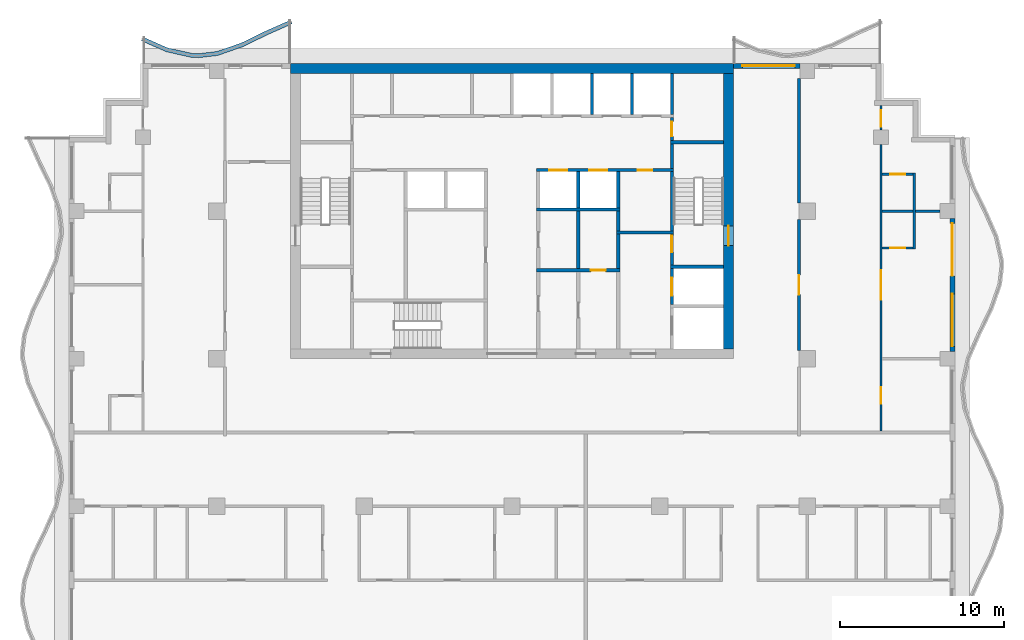
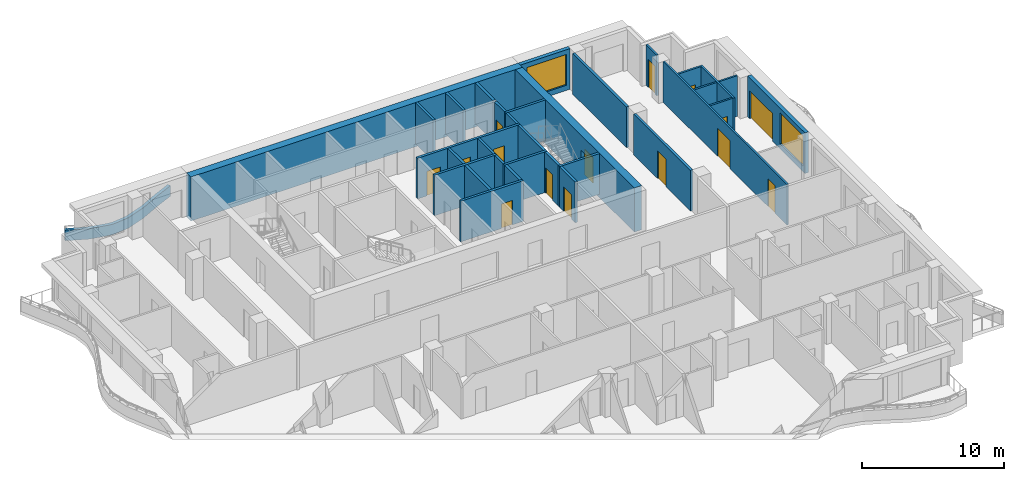
# One storey, part 6 of 11: 33 walls, 15 doors, 2 windows, 17 openings.
"""IFC4 building model written with IfcOpenShell, lengths in metres."""

from ifc_helpers import new_model, si_unit, direction, frame, frame_2d, origin, place, context, subcontext, project, spatial, polyline, rectangle, outline, extrude, material, layer, layer_set, type_object, element, fill, save


model = new_model("IFC4")

# Units and contexts
model_context = context("Model", 3, precision=1e-05, world=origin(), true_north=direction((0.0, 1.0)))
body_context = subcontext(model_context, "Body", "Model", "MODEL_VIEW")
ifc_project = project(units=[si_unit("LENGTHUNIT", "METRE"), si_unit("AREAUNIT", "SQUARE_METRE"), si_unit("VOLUMEUNIT", "CUBIC_METRE"), si_unit("PLANEANGLEUNIT", "RADIAN"), si_unit("MASSUNIT", "GRAM", prefix="KILO")], contexts=[model_context])

# Site, building, storey
site_placement = place(None, origin())
site = spatial("IfcSite", under=ifc_project, at=site_placement, CompositionType="ELEMENT")
building_placement = place(site_placement, origin())
building = spatial("IfcBuilding", under=site, at=building_placement, Name="Orbiselva Terraces", CompositionType="ELEMENT")
storey_placement = place(building_placement, frame((0.0, 0.0, 254.0)))
storey = spatial("IfcBuildingStorey", under=building, at=storey_placement, Name="L64", CompositionType="ELEMENT", Elevation=254.0)

# Wall, opening, door
ifc_material_1 = material(Name="Concrete C80/95", Category="concrete")
ifc_layer_1 = layer(ifc_material_1, 0.6)
ifc_layer_set_1 = layer_set([ifc_layer_1], Name="Concrete C80/95")
wall_type_1 = type_object("IfcWallType", Name="CORE WALL 600", PredefinedType="SHEAR", material=ifc_layer_set_1)
wall_1_placement = place(storey_placement, frame((13.2, 5.1, -0.3), z_axis=(0.0, 0.0, 1.0), x_axis=(0.0, 1.0, 0.0)))
wall_1 = element("IfcWall", 1, at=wall_1_placement, inside=storey, type_object=wall_type_1, Name="Core wall L64 east", PredefinedType="SHEAR", context=body_context, shape_type="SweptSolid", body=[
    extrude(rectangle(XDim=16.8, YDim=0.6, at=frame_2d((8.4, 0.0))), origin(), (0.0, 0.0, 1.0), 3.8),
])
opening_1_placement = place(wall_1_placement, frame((6.3, 0.0, 0.3)))
opening_1 = element("IfcOpeningElement", 2, at=opening_1_placement, cuts=wall_1, Name="Opening DS1200", PredefinedType="OPENING", context=body_context, shape_type="SweptSolid", body=[
    extrude(rectangle(XDim=1.2, YDim=2.2, at=frame_2d((0.6, 1.1))), frame((0.0, 0.31, 0.0), z_axis=(0.0, -1.0, 0.0), x_axis=(1.0, 0.0, 0.0)), (0.0, 0.0, 1.0), 0.62),
])
ifc_material_2 = material(Name="Steel fire door", Category="steel")
door_type_1 = type_object("IfcDoorType", Name="STAIR DOOR 1200", OperationType="NOTDEFINED", PredefinedType="DOOR", material=ifc_material_2)
door_1_placement = place(opening_1_placement, frame((1.2, 0.0, 0.0), z_axis=(0.0, 0.0, 1.0), x_axis=(-1.0, 0.0, 0.0)))
door_1 = element("IfcDoor", 3, at=door_1_placement, inside=storey, type_object=door_type_1, Name="L64 EXIT STAIR S2 door", OperationType="SINGLE_SWING_LEFT", OverallHeight=2.2, OverallWidth=1.2, PredefinedType="DOOR", context=body_context, shape_type="SweptSolid", body=[
    extrude(rectangle(XDim=1.2, YDim=2.2, at=frame_2d((0.6, 1.1))), frame((0.0, 0.025, 0.0), z_axis=(0.0, -1.0, 0.0), x_axis=(1.0, 0.0, 0.0)), (0.0, 0.0, 1.0), 0.05),
])
fill(opening_1, door_1)

# Walls
ifc_layer_2 = layer(ifc_material_1, 0.6)
ifc_layer_set_2 = layer_set([ifc_layer_2], Name="Concrete C80/95")
wall_type_2 = type_object("IfcWallType", Name="CORE WALL 600 EXTERNAL", PredefinedType="SHEAR", material=ifc_layer_set_2)
wall_2_placement = place(storey_placement, frame((13.5, 22.2, -0.3), z_axis=(0.0, 0.0, 1.0), x_axis=(-1.0, 0.0, 0.0)))
element("IfcWall", 4, at=wall_2_placement, inside=storey, type_object=wall_type_2, Name="Core wall L64 north", PredefinedType="SHEAR", context=body_context, shape_type="SweptSolid", body=[
    extrude(rectangle(XDim=27.0, YDim=0.6, at=frame_2d((13.5, 0.0))), origin(), (0.0, 0.0, 1.0), 3.8),
])
ifc_material_3 = material(Name="Masonry blockwork", Category="masonry")
ifc_layer_3 = layer(ifc_material_3, 0.2)
ifc_layer_set_3 = layer_set([ifc_layer_3], Name="Masonry blockwork")
wall_type_3 = type_object("IfcWallType", Name="CORE-WALL-PARTITION-200", PredefinedType="PARTITIONING", material=ifc_layer_set_3)
wall_3_placement = place(storey_placement, frame((4.0375, 10.0, 0.0), z_axis=(0.0, 0.0, 1.0), x_axis=(0.0, 1.0, 0.0)))
element("IfcWall", 5, at=wall_3_placement, inside=storey, type_object=wall_type_3, Name="L64 core wall 30", PredefinedType="PARTITIONING", context=body_context, shape_type="SweptSolid", body=[
    extrude(rectangle(XDim=3.5, YDim=0.2, at=frame_2d((1.75, 0.0))), origin(), (0.0, 0.0, 1.0), 3.5),
])
wall_4_placement = place(storey_placement, frame((6.475, 12.3, 0.0), z_axis=(0.0, 0.0, 1.0), x_axis=(0.0, 1.0, 0.0)))
element("IfcWall", 6, at=wall_4_placement, inside=storey, type_object=wall_type_3, Name="L64 core wall 36", PredefinedType="PARTITIONING", context=body_context, shape_type="SweptSolid", body=[
    extrude(rectangle(XDim=1.2, YDim=0.2, at=frame_2d((0.6, 0.0))), origin(), (0.0, 0.0, 1.0), 3.5),
])

# Wall, opening, door
wall_5_placement = place(storey_placement, frame((9.75, 19.2, 0.0), z_axis=(0.0, 0.0, 1.0), x_axis=(0.0, -1.0, 0.0)))
wall_5 = element("IfcWall", 7, at=wall_5_placement, inside=storey, type_object=wall_type_3, Name="L64 core wall 47", PredefinedType="PARTITIONING", context=body_context, shape_type="SweptSolid", body=[
    extrude(rectangle(XDim=1.4, YDim=0.2, at=frame_2d((0.7, 0.0))), origin(), (0.0, 0.0, 1.0), 3.5),
])
opening_2_placement = place(wall_5_placement, frame((0.25, 0.0, 0.0)))
opening_2 = element("IfcOpeningElement", 8, at=opening_2_placement, cuts=wall_5, Name="Opening DR900", PredefinedType="OPENING", context=body_context, shape_type="SweptSolid", body=[
    extrude(rectangle(XDim=0.9, YDim=2.1, at=frame_2d((0.45, 1.05))), frame((0.0, 0.11, 0.0), z_axis=(0.0, -1.0, 0.0), x_axis=(1.0, 0.0, 0.0)), (0.0, 0.0, 1.0), 0.22),
])
door_type_2 = type_object("IfcDoorType", Name="ROOM DOOR 900", OperationType="NOTDEFINED", PredefinedType="DOOR", material=ifc_material_2)
door_2_placement = place(opening_2_placement, origin())
door_2 = element("IfcDoor", 9, at=door_2_placement, inside=storey, type_object=door_type_2, Name="L64 COMMS RISER ROOM door", OperationType="SINGLE_SWING_RIGHT", OverallHeight=2.1, OverallWidth=0.9, PredefinedType="DOOR", context=body_context, shape_type="SweptSolid", body=[
    extrude(rectangle(XDim=0.9, YDim=2.1, at=frame_2d((0.45, 1.05))), frame((0.0, 0.025, 0.0), z_axis=(0.0, -1.0, 0.0), x_axis=(1.0, 0.0, 0.0)), (0.0, 0.0, 1.0), 0.05),
])
fill(opening_2, door_2)

# Walls
ifc_material_4 = material(Name="Concrete C40/50", Category="concrete")
ifc_layer_4 = layer(ifc_material_4, 0.2)
ifc_layer_set_4 = layer_set([ifc_layer_4], Name="Concrete C40/50")
wall_type_4 = type_object("IfcWallType", Name="CORE-WALL-SHAFT-200", PredefinedType="PARTITIONING", material=ifc_layer_set_4)
wall_6_placement = place(storey_placement, frame((4.0375, 13.7, 0.0), z_axis=(0.0, 0.0, 1.0), x_axis=(0.0, 1.0, 0.0)))
element("IfcWall", 10, at=wall_6_placement, inside=storey, type_object=wall_type_4, Name="L64 core wall 31", PredefinedType="PARTITIONING", context=body_context, shape_type="SweptSolid", body=[
    extrude(rectangle(XDim=2.2, YDim=0.2, at=frame_2d((1.1, 0.0))), origin(), (0.0, 0.0, 1.0), 3.5),
])
wall_7_placement = place(storey_placement, frame((4.875, 19.4, 0.0), z_axis=(0.0, 0.0, 1.0), x_axis=(0.0, 1.0, 0.0)))
element("IfcWall", 11, at=wall_7_placement, inside=storey, type_object=wall_type_4, Name="L64 core wall 32", PredefinedType="PARTITIONING", context=body_context, shape_type="SweptSolid", body=[
    extrude(rectangle(XDim=2.5, YDim=0.2, at=frame_2d((1.25, 0.0))), origin(), (0.0, 0.0, 1.0), 3.5),
])
wall_8_placement = place(storey_placement, frame((6.475, 13.7, 0.0), z_axis=(0.0, 0.0, 1.0), x_axis=(0.0, 1.0, 0.0)))
element("IfcWall", 12, at=wall_8_placement, inside=storey, type_object=wall_type_4, Name="L64 core wall 37", PredefinedType="PARTITIONING", context=body_context, shape_type="SweptSolid", body=[
    extrude(rectangle(XDim=2.2, YDim=0.2, at=frame_2d((1.1, 0.0))), origin(), (0.0, 0.0, 1.0), 3.5),
])
for number, where, z_axis, x_axis, name in (
    (13, (7.3125, 19.4, 0.0), (0.0, 0.0, 1.0), (0.0, 1.0, 0.0), "L64 core wall 38"),
    (14, (9.75, 19.4, 0.0), (0.0, 0.0, 1.0), (0.0, 1.0, 0.0), "L64 core wall 48"),
):
    element("IfcWall", number, at=place(storey_placement, frame(where, z_axis=z_axis, x_axis=x_axis)), inside=storey, type_object=wall_type_4, Name=name, PredefinedType="PARTITIONING", context=body_context, shape_type="SweptSolid", body=[
        extrude(rectangle(XDim=2.5, YDim=0.2, at=frame_2d((1.25, 0.0))), origin(), (0.0, 0.0, 1.0), 3.5),
    ])

# Wall, opening, door
ifc_material_5 = material(Name="Concrete C60/75", Category="concrete")
ifc_layer_5 = layer(ifc_material_5, 0.2)
ifc_layer_set_5 = layer_set([ifc_layer_5], Name="Concrete C60/75")
wall_type_5 = type_object("IfcWallType", Name="CORE-WALL-SHEAR-200", PredefinedType="SHEAR", material=ifc_layer_set_5)
wall_9_placement = place(storey_placement, frame((1.5, 9.9, 0.0), z_axis=(0.0, 0.0, 1.0), x_axis=(1.0, 0.0, 0.0)))
wall_9 = element("IfcWall", 15, at=wall_9_placement, inside=storey, type_object=wall_type_5, Name="L64 core wall 23", PredefinedType="SHEAR", context=body_context, shape_type="SweptSolid", body=[
    extrude(rectangle(XDim=5.075, YDim=0.2, at=frame_2d((2.5375, 0.0))), origin(), (0.0, 0.0, 1.0), 3.5),
])
opening_3_placement = place(wall_9_placement, frame((3.3062, 0.0, 0.0)))
opening_3 = element("IfcOpeningElement", 16, at=opening_3_placement, cuts=wall_9, Name="Opening DR900", PredefinedType="OPENING", context=body_context, shape_type="SweptSolid", body=[
    extrude(rectangle(XDim=0.9, YDim=2.1, at=frame_2d((0.45, 1.05))), frame((0.0, 0.11, 0.0), z_axis=(0.0, -1.0, 0.0), x_axis=(1.0, 0.0, 0.0)), (0.0, 0.0, 1.0), 0.22),
])
door_3_placement = place(opening_3_placement, origin())
door_3 = element("IfcDoor", 17, at=door_3_placement, inside=storey, type_object=door_type_2, Name="L64 LINEN STORE door", OperationType="SINGLE_SWING_RIGHT", OverallHeight=2.1, OverallWidth=0.9, PredefinedType="DOOR", context=body_context, shape_type="SweptSolid", body=[
    extrude(rectangle(XDim=0.9, YDim=2.1, at=frame_2d((0.45, 1.05))), frame((0.0, 0.025, 0.0), z_axis=(0.0, -1.0, 0.0), x_axis=(1.0, 0.0, 0.0)), (0.0, 0.0, 1.0), 0.05),
])
fill(opening_3, door_3)

# Wall
wall_10_placement = place(storey_placement, frame((1.5, 13.6, 0.0), z_axis=(0.0, 0.0, 1.0), x_axis=(1.0, 0.0, 0.0)))
element("IfcWall", 18, at=wall_10_placement, inside=storey, type_object=wall_type_5, Name="L64 core wall 25", PredefinedType="SHEAR", context=body_context, shape_type="SweptSolid", body=[
    extrude(rectangle(XDim=5.075, YDim=0.2, at=frame_2d((2.5375, 0.0))), origin(), (0.0, 0.0, 1.0), 3.5),
])

# Wall, openings, doors
wall_11_placement = place(storey_placement, frame((9.85, 16.0, 0.0), z_axis=(0.0, 0.0, 1.0), x_axis=(-1.0, 0.0, 0.0)))
wall_11 = element("IfcWall", 19, at=wall_11_placement, inside=storey, type_object=wall_type_5, Name="L64 core wall 27", PredefinedType="SHEAR", context=body_context, shape_type="SweptSolid", body=[
    extrude(rectangle(XDim=8.35, YDim=0.2, at=frame_2d((4.175, 0.0))), origin(), (0.0, 0.0, 1.0), 3.5),
])
opening_4_placement = place(wall_11_placement, frame((6.48125, 0.0, 0.0)))
opening_4 = element("IfcOpeningElement", 20, at=opening_4_placement, cuts=wall_11, Name="Opening LD-HR5", PredefinedType="OPENING", context=body_context, shape_type="SweptSolid", body=[
    extrude(rectangle(XDim=1.1, YDim=2.1, at=frame_2d((0.55, 1.05))), frame((0.0, 0.11, 0.0), z_axis=(0.0, -1.0, 0.0), x_axis=(1.0, 0.0, 0.0)), (0.0, 0.0, 1.0), 0.22),
])
opening_5_placement = place(wall_11_placement, frame((4.04375, 0.0, 0.0)))
opening_5 = element("IfcOpeningElement", 21, at=opening_5_placement, cuts=wall_11, Name="Opening LD-HR6", PredefinedType="OPENING", context=body_context, shape_type="SweptSolid", body=[
    extrude(rectangle(XDim=1.1, YDim=2.1, at=frame_2d((0.55, 1.05))), frame((0.0, 0.11, 0.0), z_axis=(0.0, -1.0, 0.0), x_axis=(1.0, 0.0, 0.0)), (0.0, 0.0, 1.0), 0.22),
])
opening_6_placement = place(wall_11_placement, frame((1.2875, 0.0, 0.0)))
opening_6 = element("IfcOpeningElement", 22, at=opening_6_placement, cuts=wall_11, Name="Opening DR900", PredefinedType="OPENING", context=body_context, shape_type="SweptSolid", body=[
    extrude(rectangle(XDim=0.9, YDim=2.1, at=frame_2d((0.45, 1.05))), frame((0.0, 0.11, 0.0), z_axis=(0.0, -1.0, 0.0), x_axis=(1.0, 0.0, 0.0)), (0.0, 0.0, 1.0), 0.22),
])
ifc_material_6 = material(Name="Stainless steel landing door", Category="steel")
door_type_3 = type_object("IfcDoorType", Name="LANDING DOOR 1100", OperationType="SLIDING_TO_LEFT", PredefinedType="DOOR", material=ifc_material_6)
door_4_placement = place(opening_4_placement, origin())
door_4 = element("IfcDoor", 23, at=door_4_placement, inside=storey, type_object=door_type_3, Name="L64 landing door HR5", OperationType="SLIDING_TO_RIGHT", OverallHeight=2.1, OverallWidth=1.1, PredefinedType="DOOR", context=body_context, shape_type="SweptSolid", body=[
    extrude(rectangle(XDim=1.1, YDim=2.1, at=frame_2d((0.55, 1.05))), frame((0.0, 0.025, 0.0), z_axis=(0.0, -1.0, 0.0), x_axis=(1.0, 0.0, 0.0)), (0.0, 0.0, 1.0), 0.05),
])
fill(opening_4, door_4)
door_5_placement = place(opening_5_placement, origin())
door_5 = element("IfcDoor", 24, at=door_5_placement, inside=storey, type_object=door_type_3, Name="L64 landing door HR6", OperationType="SLIDING_TO_RIGHT", OverallHeight=2.1, OverallWidth=1.1, PredefinedType="DOOR", context=body_context, shape_type="SweptSolid", body=[
    extrude(rectangle(XDim=1.1, YDim=2.1, at=frame_2d((0.55, 1.05))), frame((0.0, 0.025, 0.0), z_axis=(0.0, -1.0, 0.0), x_axis=(1.0, 0.0, 0.0)), (0.0, 0.0, 1.0), 0.05),
])
fill(opening_5, door_5)
door_6_placement = place(opening_6_placement, origin())
door_6 = element("IfcDoor", 25, at=door_6_placement, inside=storey, type_object=door_type_2, Name="L64 PIPE RISER ROOM door", OperationType="SINGLE_SWING_LEFT", OverallHeight=2.1, OverallWidth=0.9, PredefinedType="DOOR", context=body_context, shape_type="SweptSolid", body=[
    extrude(rectangle(XDim=0.9, YDim=2.1, at=frame_2d((0.45, 1.05))), frame((0.0, 0.025, 0.0), z_axis=(0.0, -1.0, 0.0), x_axis=(1.0, 0.0, 0.0)), (0.0, 0.0, 1.0), 0.05),
])
fill(opening_6, door_6)

# Walls
wall_12_placement = place(storey_placement, frame((6.475, 10.0, 0.0), z_axis=(0.0, 0.0, 1.0), x_axis=(0.0, 1.0, 0.0)))
element("IfcWall", 26, at=wall_12_placement, inside=storey, type_object=wall_type_5, Name="L64 core wall 34", PredefinedType="SHEAR", context=body_context, shape_type="SweptSolid", body=[
    extrude(rectangle(XDim=2.1, YDim=0.2, at=frame_2d((1.05, 0.0))), origin(), (0.0, 0.0, 1.0), 3.5),
])
wall_13_placement = place(storey_placement, frame((6.375, 12.2, 0.0), z_axis=(0.0, 0.0, 1.0), x_axis=(1.0, 0.0, 0.0)))
element("IfcWall", 27, at=wall_13_placement, inside=storey, type_object=wall_type_5, Name="L64 core wall 35", PredefinedType="SHEAR", context=body_context, shape_type="SweptSolid", body=[
    extrude(rectangle(XDim=3.475, YDim=0.2, at=frame_2d((1.7375, 0.0))), origin(), (0.0, 0.0, 1.0), 3.5),
])

# Wall, opening, door
wall_14_placement = place(storey_placement, frame((9.75, 7.8, 0.0), z_axis=(0.0, 0.0, 1.0), x_axis=(0.0, 1.0, 0.0)))
wall_14 = element("IfcWall", 28, at=wall_14_placement, inside=storey, type_object=wall_type_5, Name="L64 core wall 41", PredefinedType="SHEAR", context=body_context, shape_type="SweptSolid", body=[
    extrude(rectangle(XDim=2.2, YDim=0.2, at=frame_2d((1.1, 0.0))), origin(), (0.0, 0.0, 1.0), 3.5),
])
opening_7_placement = place(wall_14_placement, frame((0.55, 0.0, 0.0)))
opening_7 = element("IfcOpeningElement", 29, at=opening_7_placement, cuts=wall_14, Name="Opening LD-FF2", PredefinedType="OPENING", context=body_context, shape_type="SweptSolid", body=[
    extrude(rectangle(XDim=1.1, YDim=2.1, at=frame_2d((0.55, 1.05))), frame((0.0, 0.11, 0.0), z_axis=(0.0, -1.0, 0.0), x_axis=(1.0, 0.0, 0.0)), (0.0, 0.0, 1.0), 0.22),
])
door_7_placement = place(opening_7_placement, origin())
door_7 = element("IfcDoor", 30, at=door_7_placement, inside=storey, type_object=door_type_3, Name="L64 landing door FF2", OperationType="SLIDING_TO_RIGHT", OverallHeight=2.1, OverallWidth=1.1, PredefinedType="DOOR", context=body_context, shape_type="SweptSolid", body=[
    extrude(rectangle(XDim=1.1, YDim=2.1, at=frame_2d((0.55, 1.05))), frame((0.0, 0.025, 0.0), z_axis=(0.0, -1.0, 0.0), x_axis=(1.0, 0.0, 0.0)), (0.0, 0.0, 1.0), 0.05),
])
fill(opening_7, door_7)

# Wall
wall_15_placement = place(storey_placement, frame((9.65, 10.1, 0.0), z_axis=(0.0, 0.0, 1.0), x_axis=(1.0, 0.0, 0.0)))
element("IfcWall", 31, at=wall_15_placement, inside=storey, type_object=wall_type_5, Name="L64 core wall 42", PredefinedType="SHEAR", context=body_context, shape_type="SweptSolid", body=[
    extrude(rectangle(XDim=3.25, YDim=0.2, at=frame_2d((1.625, 0.0))), origin(), (0.0, 0.0, 1.0), 3.5),
])

# Wall, opening, door
wall_16_placement = place(storey_placement, frame((9.75, 12.1, 0.0), z_axis=(0.0, 0.0, 1.0), x_axis=(0.0, -1.0, 0.0)))
wall_16 = element("IfcWall", 32, at=wall_16_placement, inside=storey, type_object=wall_type_5, Name="L64 core wall 43", PredefinedType="SHEAR", context=body_context, shape_type="SweptSolid", body=[
    extrude(rectangle(XDim=1.9, YDim=0.2, at=frame_2d((0.95, 0.0))), origin(), (0.0, 0.0, 1.0), 3.5),
])
opening_8_placement = place(wall_16_placement, frame((0.1, 0.0, 0.0)))
opening_8 = element("IfcOpeningElement", 33, at=opening_8_placement, cuts=wall_16, Name="Opening DS1000", PredefinedType="OPENING", context=body_context, shape_type="SweptSolid", body=[
    extrude(rectangle(XDim=1.0, YDim=2.2, at=frame_2d((0.5, 1.1))), frame((0.0, 0.11, 0.0), z_axis=(0.0, -1.0, 0.0), x_axis=(1.0, 0.0, 0.0)), (0.0, 0.0, 1.0), 0.22),
])
door_type_4 = type_object("IfcDoorType", Name="STAIR DOOR 1000", OperationType="NOTDEFINED", PredefinedType="DOOR", material=ifc_material_2)
door_8_placement = place(opening_8_placement, origin())
door_8 = element("IfcDoor", 34, at=door_8_placement, inside=storey, type_object=door_type_4, Name="L64 FIRE-FIGHTING LOBBY TO EXIT STAIR S2 door", OperationType="SINGLE_SWING_LEFT", OverallHeight=2.2, OverallWidth=1.0, PredefinedType="DOOR", context=body_context, shape_type="SweptSolid", body=[
    extrude(rectangle(XDim=1.0, YDim=2.2, at=frame_2d((0.5, 1.1))), frame((0.0, 0.025, 0.0), z_axis=(0.0, -1.0, 0.0), x_axis=(1.0, 0.0, 0.0)), (0.0, 0.0, 1.0), 0.05),
])
fill(opening_8, door_8)

# Walls
wall_17_placement = place(storey_placement, frame((9.75, 12.3, 0.0), z_axis=(0.0, 0.0, 1.0), x_axis=(0.0, 1.0, 0.0)))
element("IfcWall", 35, at=wall_17_placement, inside=storey, type_object=wall_type_5, Name="L64 core wall 44", PredefinedType="SHEAR", context=body_context, shape_type="SweptSolid", body=[
    extrude(rectangle(XDim=3.6, YDim=0.2, at=frame_2d((1.8, 0.0))), origin(), (0.0, 0.0, 1.0), 3.5),
])
wall_18_placement = place(storey_placement, frame((9.75, 16.1, 0.0), z_axis=(0.0, 0.0, 1.0), x_axis=(0.0, 1.0, 0.0)))
element("IfcWall", 36, at=wall_18_placement, inside=storey, type_object=wall_type_5, Name="L64 core wall 45", PredefinedType="SHEAR", context=body_context, shape_type="SweptSolid", body=[
    extrude(rectangle(XDim=1.5, YDim=0.2, at=frame_2d((0.75, 0.0))), origin(), (0.0, 0.0, 1.0), 3.5),
])
wall_19_placement = place(storey_placement, frame((9.65, 17.7, 0.0), z_axis=(0.0, 0.0, 1.0), x_axis=(1.0, 0.0, 0.0)))
element("IfcWall", 37, at=wall_19_placement, inside=storey, type_object=wall_type_5, Name="L64 core wall 46", PredefinedType="SHEAR", context=body_context, shape_type="SweptSolid", body=[
    extrude(rectangle(XDim=3.25, YDim=0.2, at=frame_2d((1.625, 0.0))), origin(), (0.0, 0.0, 1.0), 3.5),
])
ifc_layer_6 = layer(ifc_material_4, 0.25)
ifc_layer_set_6 = layer_set([ifc_layer_6], Name="Concrete C40/50")
wall_type_6 = type_object("IfcWallType", Name="ENV-PLANTER-250x900", PredefinedType="USERDEFINED", material=ifc_layer_set_6)
wall_20_placement = place(storey_placement, origin())
element("IfcWall", 38, at=wall_20_placement, inside=storey, type_object=wall_type_6, Name="Balcony planter L64 NW", ObjectType="PLANTER", PredefinedType="USERDEFINED", context=body_context, shape_type="SweptSolid", body=[
    extrude(outline(polyline([(-13.5, 25.148528), (-15.0, 24.487721), (-16.5, 23.755211), (-18.0, 23.230792), (-19.125, 23.1), (-19.5, 23.114774), (-21.0, 23.451472), (-22.5, 24.112279), (-22.600788, 23.883496), (-21.078508, 23.212874), (-19.532565, 22.865863), (-19.115428, 22.849429), (-17.943629, 22.985662), (-16.40356, 23.524089), (-14.894714, 24.260919), (-13.399212, 24.919745), (-13.5, 25.148528)])), origin(), (0.0, 0.0, 1.0), 0.9),
])

# Wall, openings, door, window
ifc_material_7 = material(Name="Terracotta cladding on masonry backing", Category="masonry")
ifc_layer_7 = layer(ifc_material_7, 0.3)
ifc_layer_set_7 = layer_set([ifc_layer_7], Name="Terracotta cladding on masonry backing")
wall_type_7 = type_object("IfcWallType", Name="ENV-WALL-TERRACOTTA-300", PredefinedType="SOLIDWALL", material=ifc_layer_set_7)
wall_21_placement = place(storey_placement, frame((26.85, 13.05, 0.0), z_axis=(0.0, 0.0, 1.0), x_axis=(0.0, -1.0, 0.0)))
wall_21 = element("IfcWall", 39, at=wall_21_placement, inside=storey, type_object=wall_type_7, Name="Facade wall L64 E", PredefinedType="SOLIDWALL", context=body_context, shape_type="SweptSolid", body=[
    extrude(rectangle(XDim=8.1, YDim=0.3, at=frame_2d((4.05, 0.0))), origin(), (0.0, 0.0, 1.0), 3.5),
])
opening_9_placement = place(wall_21_placement, frame((4.6, 0.0, 0.45)))
opening_9 = element("IfcOpeningElement", 40, at=opening_9_placement, cuts=wall_21, Name="Opening WN17", PredefinedType="OPENING", context=body_context, shape_type="SweptSolid", body=[
    extrude(rectangle(XDim=3.2, YDim=2.65, at=frame_2d((1.6, 1.325))), frame((0.0, 0.16, 0.0), z_axis=(0.0, -1.0, 0.0), x_axis=(1.0, 0.0, 0.0)), (0.0, 0.0, 1.0), 0.32),
])
opening_10_placement = place(wall_21_placement, frame((0.3, 0.0, 0.0)))
opening_10 = element("IfcOpeningElement", 41, at=opening_10_placement, cuts=wall_21, Name="Opening Z5-B-E07", PredefinedType="OPENING", context=body_context, shape_type="SweptSolid", body=[
    extrude(rectangle(XDim=3.2, YDim=2.4, at=frame_2d((1.6, 1.2))), frame((0.0, 0.16, 0.0), z_axis=(0.0, -1.0, 0.0), x_axis=(1.0, 0.0, 0.0)), (0.0, 0.0, 1.0), 0.32),
])
ifc_material_8 = material(Name="Clear low-e glazing in aluminium frame", Category="aluminium")
door_type_5 = type_object("IfcDoorType", Name="BALCONY DOOR 3200 X 2400", OperationType="DOUBLE_DOOR_SLIDING", PredefinedType="DOOR", material=ifc_material_8)
door_9_placement = place(opening_10_placement, origin())
door_9 = element("IfcDoor", 42, at=door_9_placement, inside=storey, type_object=door_type_5, Name="Z5-B-E07", OperationType="SINGLE_SWING_LEFT", OverallHeight=2.4, OverallWidth=3.2, PredefinedType="DOOR", context=body_context, shape_type="SweptSolid", body=[
    extrude(rectangle(XDim=3.2, YDim=2.4, at=frame_2d((1.6, 1.2))), frame((0.0, 0.025, 0.0), z_axis=(0.0, -1.0, 0.0), x_axis=(1.0, 0.0, 0.0)), (0.0, 0.0, 1.0), 0.05),
])
fill(opening_10, door_9)
window_type = type_object("IfcWindowType", Name="WINDOW 3200 X 2650 S450", PartitioningType="TRIPLE_PANEL_VERTICAL", PredefinedType="WINDOW", material=ifc_material_8)
window_1_placement = place(opening_9_placement, origin())
window_1 = element("IfcWindow", 43, at=window_1_placement, inside=storey, type_object=window_type, Name="Window L64 E", OverallHeight=2.65, OverallWidth=3.2, PartitioningType="SINGLE_PANEL", PredefinedType="WINDOW", context=body_context, shape_type="SweptSolid", body=[
    extrude(rectangle(XDim=3.2, YDim=2.65, at=frame_2d((1.6, 1.325))), frame((0.0, 0.03, 0.0), z_axis=(0.0, -1.0, 0.0), x_axis=(1.0, 0.0, 0.0)), (0.0, 0.0, 1.0), 0.06),
])
fill(opening_9, window_1)

# Wall, opening, window
wall_22_placement = place(storey_placement, frame((13.5, 22.35, 0.0), z_axis=(0.0, 0.0, 1.0), x_axis=(1.0, 0.0, 0.0)))
wall_22 = element("IfcWall", 44, at=wall_22_placement, inside=storey, type_object=wall_type_7, Name="Facade wall L64 NE", PredefinedType="SOLIDWALL", context=body_context, shape_type="SweptSolid", body=[
    extrude(rectangle(XDim=4.05, YDim=0.3, at=frame_2d((2.025, 0.0))), origin(), (0.0, 0.0, 1.0), 3.5),
])
opening_11_placement = place(wall_22_placement, frame((0.55, 0.0, 0.45)))
opening_11 = element("IfcOpeningElement", 45, at=opening_11_placement, cuts=wall_22, Name="Opening WN17", PredefinedType="OPENING", context=body_context, shape_type="SweptSolid", body=[
    extrude(rectangle(XDim=3.2, YDim=2.65, at=frame_2d((1.6, 1.325))), frame((0.0, 0.16, 0.0), z_axis=(0.0, -1.0, 0.0), x_axis=(1.0, 0.0, 0.0)), (0.0, 0.0, 1.0), 0.32),
])
window_2_placement = place(opening_11_placement, origin())
window_2 = element("IfcWindow", 46, at=window_2_placement, inside=storey, type_object=window_type, Name="Window L64 NE", OverallHeight=2.65, OverallWidth=3.2, PartitioningType="SINGLE_PANEL", PredefinedType="WINDOW", context=body_context, shape_type="SweptSolid", body=[
    extrude(rectangle(XDim=3.2, YDim=2.65, at=frame_2d((1.6, 1.325))), frame((0.0, 0.03, 0.0), z_axis=(0.0, -1.0, 0.0), x_axis=(1.0, 0.0, 0.0)), (0.0, 0.0, 1.0), 0.06),
])
fill(opening_11, window_2)

# Wall, opening, door
ifc_material_9 = material(Name="Plasterboard on steel stud partition", Category="steel")
ifc_layer_8 = layer(ifc_material_9, 0.2)
ifc_layer_set_8 = layer_set([ifc_layer_8], Name="Plasterboard on steel stud partition")
wall_type_8 = type_object("IfcWallType", Name="UNIT-ENTRANCE-WALL-200", PredefinedType="PARTITIONING", material=ifc_layer_set_8)
wall_23_placement = place(storey_placement, frame((17.5, 13.0, 0.0), z_axis=(0.0, 0.0, 1.0), x_axis=(0.0, -1.0, 0.0)))
wall_23 = element("IfcWall", 47, at=wall_23_placement, inside=storey, type_object=wall_type_8, Name="PARTITION L64-072", PredefinedType="PARTITIONING", context=body_context, shape_type="SweptSolid", body=[
    extrude(rectangle(XDim=8.0, YDim=0.2, at=frame_2d((4.0, 0.0))), origin(), (0.0, 0.0, 1.0), 3.5),
])
opening_12_placement = place(wall_23_placement, frame((3.4, 0.0, 0.0)))
opening_12 = element("IfcOpeningElement", 48, at=opening_12_placement, cuts=wall_23, Name="Opening Z5-B-08", PredefinedType="OPENING", context=body_context, shape_type="SweptSolid", body=[
    extrude(rectangle(XDim=1.2, YDim=2.4, at=frame_2d((0.6, 1.2))), frame((0.0, 0.11, 0.0), z_axis=(0.0, -1.0, 0.0), x_axis=(1.0, 0.0, 0.0)), (0.0, 0.0, 1.0), 0.22),
])
ifc_material_10 = material(Name="Painted timber door leaf", Category="wood")
door_type_6 = type_object("IfcDoorType", Name="ENTRANCE DOOR 1200", OperationType="NOTDEFINED", PredefinedType="DOOR", material=ifc_material_10)
door_10_placement = place(opening_12_placement, origin())
door_10 = element("IfcDoor", 49, at=door_10_placement, inside=storey, type_object=door_type_6, Name="Z5-B-08", OperationType="SINGLE_SWING_RIGHT", OverallHeight=2.4, OverallWidth=1.2, PredefinedType="DOOR", context=body_context, shape_type="SweptSolid", body=[
    extrude(rectangle(XDim=1.2, YDim=2.4, at=frame_2d((0.6, 1.2))), frame((0.0, 0.025, 0.0), z_axis=(0.0, -1.0, 0.0), x_axis=(1.0, 0.0, 0.0)), (0.0, 0.0, 1.0), 0.05),
])
fill(opening_12, door_10)

# Wall
wall_24_placement = place(storey_placement, frame((17.5, 14.0, 0.0), z_axis=(0.0, 0.0, 1.0), x_axis=(0.0, 1.0, 0.0)))
element("IfcWall", 50, at=wall_24_placement, inside=storey, type_object=wall_type_8, Name="PARTITION L64-073", PredefinedType="PARTITIONING", context=body_context, shape_type="SweptSolid", body=[
    extrude(rectangle(XDim=7.6, YDim=0.2, at=frame_2d((3.8, 0.0))), origin(), (0.0, 0.0, 1.0), 3.5),
])

# Wall, opening, door
ifc_layer_9 = layer(ifc_material_9, 0.15)
ifc_layer_set_9 = layer_set([ifc_layer_9], Name="Plasterboard on steel stud partition")
wall_type_9 = type_object("IfcWallType", Name="UNIT-PARTITION-150", PredefinedType="PARTITIONING", material=ifc_layer_set_9)
wall_25_placement = place(storey_placement, frame((22.575, 11.25, 0.0), z_axis=(0.0, 0.0, 1.0), x_axis=(1.0, 0.0, 0.0)))
wall_25 = element("IfcWall", 51, at=wall_25_placement, inside=storey, type_object=wall_type_9, Name="PARTITION L64-032", PredefinedType="PARTITIONING", context=body_context, shape_type="SweptSolid", body=[
    extrude(rectangle(XDim=1.875, YDim=0.15, at=frame_2d((0.9375, 0.0))), origin(), (0.0, 0.0, 1.0), 3.5),
])
opening_13_placement = place(wall_25_placement, frame((0.5, 0.0, 0.0)))
opening_13 = element("IfcOpeningElement", 52, at=opening_13_placement, cuts=wall_25, Name="Opening Z5-B-11", PredefinedType="OPENING", context=body_context, shape_type="SweptSolid", body=[
    extrude(rectangle(XDim=0.9, YDim=2.1, at=frame_2d((0.45, 1.05))), frame((0.0, 0.085, 0.0), z_axis=(0.0, -1.0, 0.0), x_axis=(1.0, 0.0, 0.0)), (0.0, 0.0, 1.0), 0.17),
])
door_type_7 = type_object("IfcDoorType", Name="BATH DOOR 900", OperationType="NOTDEFINED", PredefinedType="DOOR", material=ifc_material_10)
door_11_placement = place(opening_13_placement, origin())
door_11 = element("IfcDoor", 53, at=door_11_placement, inside=storey, type_object=door_type_7, Name="Z5-B-11", OperationType="SINGLE_SWING_RIGHT", OverallHeight=2.1, OverallWidth=0.9, PredefinedType="DOOR", context=body_context, shape_type="SweptSolid", body=[
    extrude(rectangle(XDim=0.9, YDim=2.1, at=frame_2d((0.45, 1.05))), frame((0.0, 0.025, 0.0), z_axis=(0.0, -1.0, 0.0), x_axis=(1.0, 0.0, 0.0)), (0.0, 0.0, 1.0), 0.05),
])
fill(opening_13, door_11)

# Walls
wall_26_placement = place(storey_placement, frame((22.575, 13.5, 0.0), z_axis=(0.0, 0.0, 1.0), x_axis=(1.0, 0.0, 0.0)))
element("IfcWall", 54, at=wall_26_placement, inside=storey, type_object=wall_type_9, Name="PARTITION L64-034", PredefinedType="PARTITIONING", context=body_context, shape_type="SweptSolid", body=[
    extrude(rectangle(XDim=1.875, YDim=0.15, at=frame_2d((0.9375, 0.0))), origin(), (0.0, 0.0, 1.0), 3.5),
])
wall_27_placement = place(storey_placement, frame((24.6, 13.5, 0.0), z_axis=(0.0, 0.0, 1.0), x_axis=(1.0, 0.0, 0.0)))
element("IfcWall", 55, at=wall_27_placement, inside=storey, type_object=wall_type_9, Name="PARTITION L64-035", PredefinedType="PARTITIONING", context=body_context, shape_type="SweptSolid", body=[
    extrude(rectangle(XDim=1.5, YDim=0.15, at=frame_2d((0.75, 0.0))), origin(), (0.0, 0.0, 1.0), 3.5),
])

# Wall, opening, door
wall_28_placement = place(storey_placement, frame((24.45, 15.75, 0.0), z_axis=(0.0, 0.0, 1.0), x_axis=(-1.0, 0.0, 0.0)))
wall_28 = element("IfcWall", 56, at=wall_28_placement, inside=storey, type_object=wall_type_9, Name="PARTITION L64-037", PredefinedType="PARTITIONING", context=body_context, shape_type="SweptSolid", body=[
    extrude(rectangle(XDim=1.875, YDim=0.15, at=frame_2d((0.9375, 0.0))), origin(), (0.0, 0.0, 1.0), 3.5),
])
opening_14_placement = place(wall_28_placement, frame((0.475, 0.0, 0.0)))
opening_14 = element("IfcOpeningElement", 57, at=opening_14_placement, cuts=wall_28, Name="Opening Z5-B-13", PredefinedType="OPENING", context=body_context, shape_type="SweptSolid", body=[
    extrude(rectangle(XDim=0.9, YDim=2.1, at=frame_2d((0.45, 1.05))), frame((0.0, 0.085, 0.0), z_axis=(0.0, -1.0, 0.0), x_axis=(1.0, 0.0, 0.0)), (0.0, 0.0, 1.0), 0.17),
])
door_12_placement = place(opening_14_placement, origin())
door_12 = element("IfcDoor", 58, at=door_12_placement, inside=storey, type_object=door_type_7, Name="Z5-B-13", OperationType="SINGLE_SWING_LEFT", OverallHeight=2.1, OverallWidth=0.9, PredefinedType="DOOR", context=body_context, shape_type="SweptSolid", body=[
    extrude(rectangle(XDim=0.9, YDim=2.1, at=frame_2d((0.45, 1.05))), frame((0.0, 0.025, 0.0), z_axis=(0.0, -1.0, 0.0), x_axis=(1.0, 0.0, 0.0)), (0.0, 0.0, 1.0), 0.05),
])
fill(opening_14, door_12)

# Wall, openings, doors
wall_29_placement = place(storey_placement, frame((22.5, 17.55, 0.0), z_axis=(0.0, 0.0, 1.0), x_axis=(0.0, -1.0, 0.0)))
wall_29 = element("IfcWall", 59, at=wall_29_placement, inside=storey, type_object=wall_type_9, Name="PARTITION L64-080", PredefinedType="PARTITIONING", context=body_context, shape_type="SweptSolid", body=[
    extrude(rectangle(XDim=17.45, YDim=0.15, at=frame_2d((8.725, 0.0))), origin(), (0.0, 0.0, 1.0), 3.5),
])
opening_15_placement = place(wall_29_placement, frame((14.8, 0.0, 0.0)))
opening_15 = element("IfcOpeningElement", 60, at=opening_15_placement, cuts=wall_29, Name="Opening Z5-B-09", PredefinedType="OPENING", context=body_context, shape_type="SweptSolid", body=[
    extrude(rectangle(XDim=1.0, YDim=2.4, at=frame_2d((0.5, 1.2))), frame((0.0, 0.085, 0.0), z_axis=(0.0, -1.0, 0.0), x_axis=(1.0, 0.0, 0.0)), (0.0, 0.0, 1.0), 0.17),
])
opening_16_placement = place(wall_29_placement, frame((7.65, 0.0, 0.0)))
opening_16 = element("IfcOpeningElement", 61, at=opening_16_placement, cuts=wall_29, Name="Opening Z5-B-10", PredefinedType="OPENING", context=body_context, shape_type="SweptSolid", body=[
    extrude(rectangle(XDim=1.8, YDim=2.4, at=frame_2d((0.9, 1.2))), frame((0.0, 0.085, 0.0), z_axis=(0.0, -1.0, 0.0), x_axis=(1.0, 0.0, 0.0)), (0.0, 0.0, 1.0), 0.17),
])
door_type_8 = type_object("IfcDoorType", Name="DOUBLE DOOR 1800", OperationType="NOTDEFINED", PredefinedType="DOOR", material=ifc_material_10)
door_13_placement = place(opening_16_placement, origin())
door_13 = element("IfcDoor", 62, at=door_13_placement, inside=storey, type_object=door_type_8, Name="Z5-B-10", OperationType="DOUBLE_DOOR_SINGLE_SWING", OverallHeight=2.4, OverallWidth=1.8, PredefinedType="DOOR", context=body_context, shape_type="SweptSolid", body=[
    extrude(rectangle(XDim=1.8, YDim=2.4, at=frame_2d((0.9, 1.2))), frame((0.0, 0.025, 0.0), z_axis=(0.0, -1.0, 0.0), x_axis=(1.0, 0.0, 0.0)), (0.0, 0.0, 1.0), 0.05),
])
fill(opening_16, door_13)
door_type_9 = type_object("IfcDoorType", Name="ROOM DOOR 1000", OperationType="NOTDEFINED", PredefinedType="DOOR", material=ifc_material_10)
door_14_placement = place(opening_15_placement, origin())
door_14 = element("IfcDoor", 63, at=door_14_placement, inside=storey, type_object=door_type_9, Name="Z5-B-09", OperationType="SINGLE_SWING_RIGHT", OverallHeight=2.4, OverallWidth=1.0, PredefinedType="DOOR", context=body_context, shape_type="SweptSolid", body=[
    extrude(rectangle(XDim=1.0, YDim=2.4, at=frame_2d((0.5, 1.2))), frame((0.0, 0.025, 0.0), z_axis=(0.0, -1.0, 0.0), x_axis=(1.0, 0.0, 0.0)), (0.0, 0.0, 1.0), 0.05),
])
fill(opening_15, door_14)

# Wall, opening, door
wall_30_placement = place(storey_placement, frame((22.5, 19.95, 0.0), z_axis=(0.0, 0.0, 1.0), x_axis=(0.0, -1.0, 0.0)))
wall_30 = element("IfcWall", 64, at=wall_30_placement, inside=storey, type_object=wall_type_9, Name="PARTITION L64-081", PredefinedType="PARTITIONING", context=body_context, shape_type="SweptSolid", body=[
    extrude(rectangle(XDim=1.5, YDim=0.15, at=frame_2d((0.75, 0.0))), origin(), (0.0, 0.0, 1.0), 3.5),
])
opening_17_placement = place(wall_30_placement, frame((0.3, 0.0, 0.0)))
opening_17 = element("IfcOpeningElement", 65, at=opening_17_placement, cuts=wall_30, Name="Opening Z5-B-12", PredefinedType="OPENING", context=body_context, shape_type="SweptSolid", body=[
    extrude(rectangle(XDim=1.0, YDim=2.4, at=frame_2d((0.5, 1.2))), frame((0.0, 0.085, 0.0), z_axis=(0.0, -1.0, 0.0), x_axis=(1.0, 0.0, 0.0)), (0.0, 0.0, 1.0), 0.17),
])
door_15_placement = place(opening_17_placement, origin())
door_15 = element("IfcDoor", 66, at=door_15_placement, inside=storey, type_object=door_type_9, Name="Z5-B-12", OperationType="SINGLE_SWING_RIGHT", OverallHeight=2.4, OverallWidth=1.0, PredefinedType="DOOR", context=body_context, shape_type="SweptSolid", body=[
    extrude(rectangle(XDim=1.0, YDim=2.4, at=frame_2d((0.5, 1.2))), frame((0.0, 0.025, 0.0), z_axis=(0.0, -1.0, 0.0), x_axis=(1.0, 0.0, 0.0)), (0.0, 0.0, 1.0), 0.05),
])
fill(opening_17, door_15)

# Wall
wall_31_placement = place(storey_placement, frame((24.525, 11.175, 0.0), z_axis=(0.0, 0.0, 1.0), x_axis=(0.0, 1.0, 0.0)))
element("IfcWall", 67, at=wall_31_placement, inside=storey, type_object=wall_type_9, Name="PARTITION L64-083", PredefinedType="PARTITIONING", context=body_context, shape_type="SweptSolid", body=[
    extrude(rectangle(XDim=4.65, YDim=0.15, at=frame_2d((2.325, 0.0))), origin(), (0.0, 0.0, 1.0), 3.5),
])

save(model, "model.ifc")
